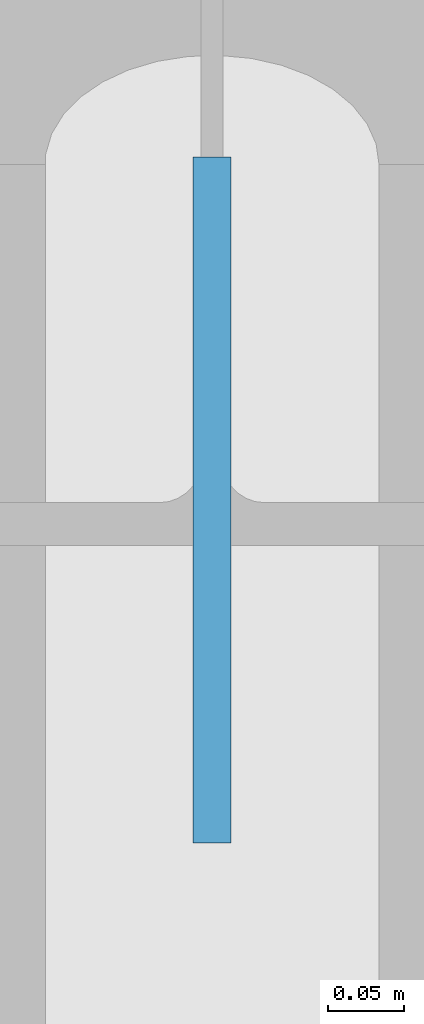
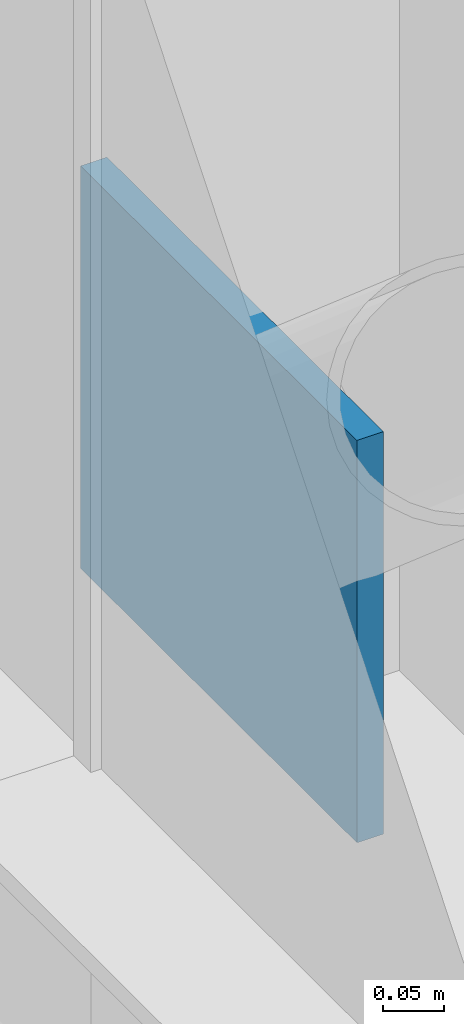
# One storey, part 55 of 65: 1 discrete accessory.
"""IFC4 building model written with IfcOpenShell, lengths in metres."""

from ifc_helpers import new_model, si_unit, direction, frame, origin, origin_2d, place, context, subcontext, project, spatial, rectangle, extrude, material, type_object, element, save


model = new_model("IFC4")

# Units and contexts
model_context = context("Model", 3, precision=1e-05, world=origin(), true_north=direction((0.0, 1.0)))
body_context = subcontext(model_context, "Body", "Model", "MODEL_VIEW")
ifc_project = project(units=[si_unit("LENGTHUNIT", "METRE"), si_unit("AREAUNIT", "SQUARE_METRE"), si_unit("VOLUMEUNIT", "CUBIC_METRE"), si_unit("PLANEANGLEUNIT", "RADIAN"), si_unit("MASSUNIT", "GRAM", prefix="KILO")], contexts=[model_context])

# Site, building, storey
site_placement = place(None, origin())
site = spatial("IfcSite", under=ifc_project, at=site_placement, CompositionType="ELEMENT")
building_placement = place(site_placement, origin())
building = spatial("IfcBuilding", under=site, at=building_placement, Name="Qalvenar Corner Mobility Hub", CompositionType="ELEMENT")
storey_placement = place(building_placement, frame((0.0, 0.0, 17.39990234375)))
storey = spatial("IfcBuildingStorey", under=building, at=storey_placement, Name="L04", CompositionType="ELEMENT", Elevation=17.39990234375)

# Discrete accessory
ifc_material = material(Name="Steel S355", Category="steel")
discrete_accessory_type = type_object("IfcDiscreteAccessoryType", Name="ACC-GUSSET-PLT", PredefinedType="BRACKET", material=ifc_material)
discrete_accessory_placement = place(storey_placement, frame((0.0, 33.3798828125, 0.000244140625), z_axis=(0.0, 0.0, 1.0), x_axis=(0.0, 1.0, 0.0)))
element("IfcDiscreteAccessory", 1, at=discrete_accessory_placement, inside=storey, type_object=discrete_accessory_type, Name="Brace Base Gusset Plate GP-B-030", PredefinedType="BRACKET", context=body_context, shape_type="SweptSolid", body=[
    extrude(rectangle(XDim=0.449951171875, YDim=0.02490234375, at=origin_2d()), origin(), (0.0, 0.0, 1.0), 0.39990234375),
])

save(model, "model.ifc")
